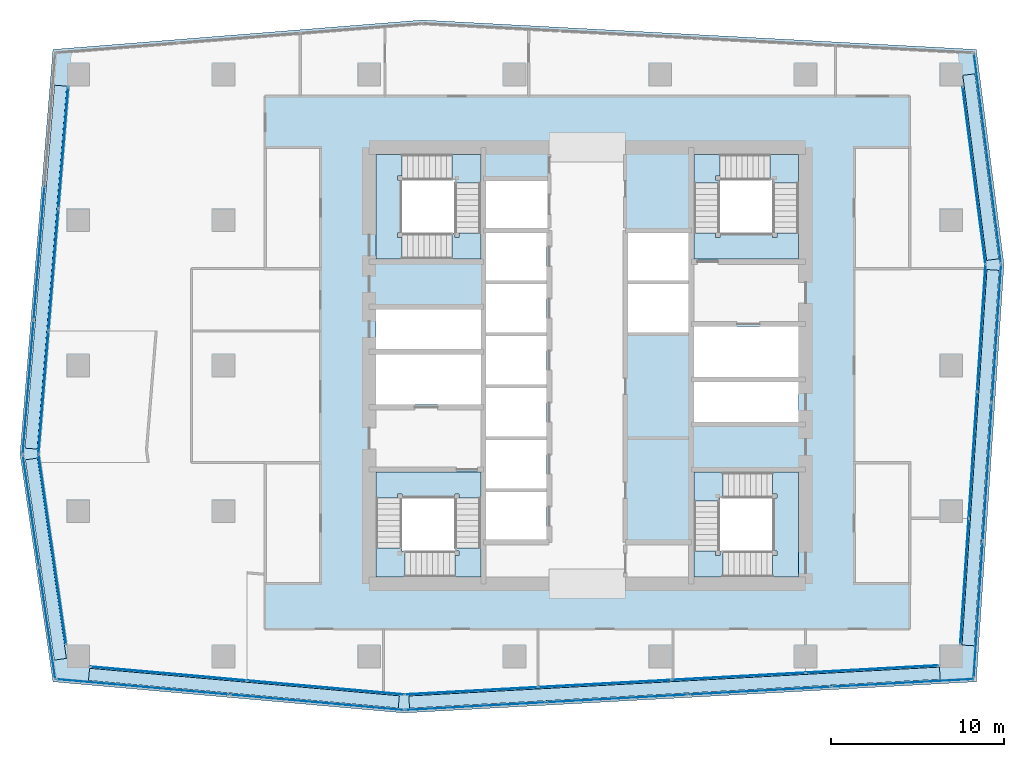
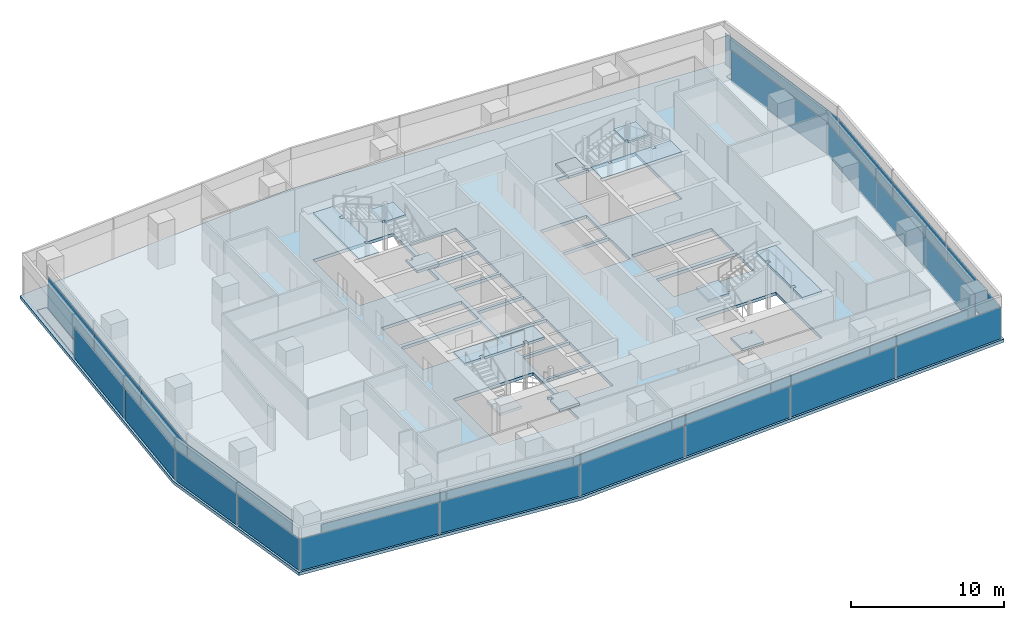
# One storey, part 21 of 30: 34 plates, 13 slabs, 16 elements without a shape of their own.
"""IFC4 building model written with IfcOpenShell, lengths in metres."""

from ifc_helpers import new_model, si_unit, direction, frame, origin, origin_2d, place, context, subcontext, project, spatial, polyline, rectangle, outline, extrude, material, layer, layer_set, type_object, element, aggregate, save


model = new_model("IFC4")

# Units and contexts
model_context = context("Model", 3, precision=1e-05, world=origin(), true_north=direction((0.0, 1.0)))
body_context = subcontext(model_context, "Body", "Model", "MODEL_VIEW")
ifc_project = project(units=[si_unit("LENGTHUNIT", "METRE"), si_unit("AREAUNIT", "SQUARE_METRE"), si_unit("VOLUMEUNIT", "CUBIC_METRE"), si_unit("PLANEANGLEUNIT", "RADIAN"), si_unit("MASSUNIT", "GRAM", prefix="KILO")], contexts=[model_context])

# Site, building, storey
site_placement = place(None, origin())
site = spatial("IfcSite", under=ifc_project, at=site_placement, CompositionType="ELEMENT")
building_placement = place(site_placement, origin())
building = spatial("IfcBuilding", under=site, at=building_placement, Name="Rekha Terrace Tower", CompositionType="ELEMENT")
storey_placement = place(building_placement, frame((0.0, 0.0, 287.60009765625)))
storey = spatial("IfcBuildingStorey", under=building, at=storey_placement, Name="L73", CompositionType="ELEMENT", Elevation=287.60009765625)

# Curtain wall, plates
ifc_material_1 = material(Name="Aluminium framing", Category="aluminium")
curtain_wall_type_1 = type_object("IfcCurtainWallType", Name="CW1 double skin inner glazing", PredefinedType="USERDEFINED", material=ifc_material_1)
curtain_wall_1_placement = place(storey_placement, origin())
curtain_wall_1 = element("IfcCurtainWall", 1, at=curtain_wall_1_placement, inside=storey, type_object=curtain_wall_type_1, Name="CW1 double skin inner glazing", ObjectType="DOUBLE SKIN INNER GLAZING", PredefinedType="USERDEFINED")
ifc_material_2 = material(Name="Double-glazed low-e unit 32", Category="glass")
ifc_layer_1 = layer(ifc_material_2, 0.031982421875)
ifc_layer_set_1 = layer_set([ifc_layer_1], Name="Double-glazed low-e unit 32")
plate_type_1 = type_object("IfcPlateType", Name="CW1 jumbo vision panel, double-glazed low-e unit 32", PredefinedType="CURTAIN_PANEL", material=ifc_layer_set_1)
plate_1_placement = place(storey_placement, frame((13.62939453125, 15.820556640625, 0.0), z_axis=(0.0, 0.0, 1.0), x_axis=(0.996074182663, -0.088522441405, 0.0)))
plate_1 = element("IfcPlate", 2, at=plate_1_placement, type_object=plate_type_1, Name="CW1 panel 1.1", PredefinedType="CURTAIN_PANEL", context=body_context, shape_type="SweptSolid", body=[
    extrude(rectangle(XDim=9.010986328125, YDim=0.031982421875, at=origin_2d()), origin(), (0.0, 0.0, 1.0), 2.550048828125),
])
plate_2_placement = place(storey_placement, frame((22.701904296875, 15.01416015625, 0.0), z_axis=(0.0, 0.0, 1.0), x_axis=(0.996074182663, -0.088522441405, 0.0)))
plate_2 = element("IfcPlate", 3, at=plate_2_placement, type_object=plate_type_1, Name="CW1 panel 2.1", PredefinedType="CURTAIN_PANEL", context=body_context, shape_type="SweptSolid", body=[
    extrude(rectangle(XDim=9.075927734375, YDim=0.031982421875, at=origin_2d()), origin(), (0.0, 0.0, 1.0), 2.550048828125),
])
aggregate(curtain_wall_1, [plate_1, plate_2])

curtain_wall_2_placement = place(storey_placement, origin())
curtain_wall_2 = element("IfcCurtainWall", 4, at=curtain_wall_2_placement, inside=storey, type_object=curtain_wall_type_1, Name="CW1 double skin inner glazing", ObjectType="DOUBLE SKIN INNER GLAZING", PredefinedType="USERDEFINED")
plate_3_placement = place(storey_placement, frame((31.101318359375, 14.82373046875, 0.0), z_axis=(0.0, 0.0, 1.0), x_axis=(0.998519828159, 0.054388903036, 0.0)))
plate_3 = element("IfcPlate", 5, at=plate_3_placement, type_object=plate_type_1, Name="CW1 panel 1.1", PredefinedType="CURTAIN_PANEL", context=body_context, shape_type="SweptSolid", body=[
    extrude(rectangle(XDim=7.6396484375, YDim=0.031982421875, at=origin_2d()), origin(), (0.0, 0.0, 1.0), 2.550048828125),
])
plate_4_placement = place(storey_placement, frame((38.810791015625, 15.243896484375, 0.0), z_axis=(0.0, 0.0, 1.0), x_axis=(0.998519828159, 0.054388903036, 0.0)))
plate_4 = element("IfcPlate", 6, at=plate_4_placement, type_object=plate_type_1, Name="CW1 panel 2.1", PredefinedType="CURTAIN_PANEL", context=body_context, shape_type="SweptSolid", body=[
    extrude(rectangle(XDim=7.672119140625, YDim=0.031982421875, at=origin_2d()), origin(), (0.0, 0.0, 1.0), 2.550048828125),
])
plate_5_placement = place(storey_placement, frame((46.536376953125, 15.66455078125, 0.0), z_axis=(0.0, 0.0, 1.0), x_axis=(0.998519828159, 0.054388903036, 0.0)))
plate_5 = element("IfcPlate", 7, at=plate_5_placement, type_object=plate_type_1, Name="CW1 panel 3.1", PredefinedType="CURTAIN_PANEL", context=body_context, shape_type="SweptSolid", body=[
    extrude(rectangle(XDim=7.672119140625, YDim=0.031982421875, at=origin_2d()), origin(), (0.0, 0.0, 1.0), 2.550048828125),
])
plate_6_placement = place(storey_placement, frame((54.245849609375, 16.08447265625, 0.0), z_axis=(0.0, 0.0, 1.0), x_axis=(0.998519828159, 0.054388903036, 0.0)))
plate_6 = element("IfcPlate", 8, at=plate_6_placement, type_object=plate_type_1, Name="CW1 panel 4.1", PredefinedType="CURTAIN_PANEL", context=body_context, shape_type="SweptSolid", body=[
    extrude(rectangle(XDim=7.6396484375, YDim=0.031982421875, at=origin_2d()), origin(), (0.0, 0.0, 1.0), 2.550048828125),
])
aggregate(curtain_wall_2, [plate_3, plate_4, plate_5, plate_6])

curtain_wall_3_placement = place(storey_placement, origin())
curtain_wall_3 = element("IfcCurtainWall", 9, at=curtain_wall_3_placement, inside=storey, type_object=curtain_wall_type_1, Name="CW1 double skin inner glazing", ObjectType="DOUBLE SKIN INNER GLAZING", PredefinedType="USERDEFINED")
plate_7_placement = place(storey_placement, frame((59.57275390625, 21.147705078125, 0.0), z_axis=(0.0, 0.0, 1.0), x_axis=(0.066271589649, 0.997801621769, 0.0)))
plate_7 = element("IfcPlate", 10, at=plate_7_placement, type_object=plate_type_1, Name="CW1 panel 1.1", PredefinedType="CURTAIN_PANEL", context=body_context, shape_type="SweptSolid", body=[
    extrude(rectangle(XDim=7.228759765625, YDim=0.031982421875, at=origin_2d()), origin(), (0.0, 0.0, 1.0), 2.550048828125),
])
plate_8_placement = place(storey_placement, frame((60.05712890625, 28.441650390625, 0.0), z_axis=(0.0, 0.0, 1.0), x_axis=(0.066271589649, 0.997801621769, 0.0)))
plate_8 = element("IfcPlate", 11, at=plate_8_placement, type_object=plate_type_1, Name="CW1 panel 2.1", PredefinedType="CURTAIN_PANEL", context=body_context, shape_type="SweptSolid", body=[
    extrude(rectangle(XDim=7.261474609375, YDim=0.031982421875, at=origin_2d()), origin(), (0.0, 0.0, 1.0), 2.550048828125),
])
plate_9_placement = place(storey_placement, frame((60.543701171875, 35.76806640625, 0.0), z_axis=(0.0, 0.0, 1.0), x_axis=(0.066271589649, 0.997801621769, 0.0)))
plate_9 = element("IfcPlate", 12, at=plate_9_placement, type_object=plate_type_1, Name="CW1 panel 3.1", PredefinedType="CURTAIN_PANEL", context=body_context, shape_type="SweptSolid", body=[
    extrude(rectangle(XDim=7.2939453125, YDim=0.031982421875, at=origin_2d()), origin(), (0.0, 0.0, 1.0), 2.550048828125),
])
aggregate(curtain_wall_3, [plate_7, plate_8, plate_9])

# Curtain wall, plate
curtain_wall_4_placement = place(storey_placement, origin())
curtain_wall_4 = element("IfcCurtainWall", 13, at=curtain_wall_4_placement, inside=storey, type_object=curtain_wall_type_1, Name="CW1 double skin inner glazing", ObjectType="DOUBLE SKIN INNER GLAZING", PredefinedType="USERDEFINED")
plate_10_placement = place(storey_placement, frame((60.119873046875, 44.56884765625, 0.0), z_axis=(0.0, 0.0, 1.0), x_axis=(-0.127869904766, 0.991790949472, 0.0)))
plate_10 = element("IfcPlate", 14, at=plate_10_placement, type_object=plate_type_1, Name="CW1 panel 1.1", PredefinedType="CURTAIN_PANEL", context=body_context, shape_type="SweptSolid", body=[
    extrude(rectangle(XDim=10.27880859375, YDim=0.031982421875, at=origin_2d()), origin(), (0.0, 0.0, 1.0), 2.550048828125),
])
aggregate(curtain_wall_4, [plate_10])

# Curtain wall, plates
curtain_wall_5_placement = place(storey_placement, origin())
curtain_wall_5 = element("IfcCurtainWall", 15, at=curtain_wall_5_placement, inside=storey, type_object=curtain_wall_type_1, Name="CW1 double skin inner glazing", ObjectType="DOUBLE SKIN INNER GLAZING", PredefinedType="USERDEFINED")
plate_11_placement = place(storey_placement, frame((7.5517578125, 46.173095703125, 0.0), z_axis=(0.0, 0.0, 1.0), x_axis=(-0.081067906781, -0.996708580524, 0.0)))
plate_11 = element("IfcPlate", 16, at=plate_11_placement, type_object=plate_type_1, Name="CW1 panel 1.1", PredefinedType="CURTAIN_PANEL", context=body_context, shape_type="SweptSolid", body=[
    extrude(rectangle(XDim=6.9921875, YDim=0.031982421875, at=origin_2d()), origin(), (0.0, 0.0, 1.0), 2.550048828125),
])
plate_12_placement = place(storey_placement, frame((6.978271484375, 39.123046875, 0.0), z_axis=(0.0, 0.0, 1.0), x_axis=(-0.081067906781, -0.996708580524, 0.0)))
plate_12 = element("IfcPlate", 17, at=plate_12_placement, type_object=plate_type_1, Name="CW1 panel 2.1", PredefinedType="CURTAIN_PANEL", context=body_context, shape_type="SweptSolid", body=[
    extrude(rectangle(XDim=7.024658203125, YDim=0.031982421875, at=origin_2d()), origin(), (0.0, 0.0, 1.0), 2.550048828125),
])
plate_13_placement = place(storey_placement, frame((6.40234375, 32.040283203125, 0.0), z_axis=(0.0, 0.0, 1.0), x_axis=(-0.081067906781, -0.996708580524, 0.0)))
plate_13 = element("IfcPlate", 18, at=plate_13_placement, type_object=plate_type_1, Name="CW1 panel 3.1", PredefinedType="CURTAIN_PANEL", context=body_context, shape_type="SweptSolid", body=[
    extrude(rectangle(XDim=7.057373046875, YDim=0.031982421875, at=origin_2d()), origin(), (0.0, 0.0, 1.0), 2.550048828125),
])
aggregate(curtain_wall_5, [plate_11, plate_12, plate_13])

# Curtain wall, plate
curtain_wall_6_placement = place(storey_placement, origin())
curtain_wall_6 = element("IfcCurtainWall", 19, at=curtain_wall_6_placement, inside=storey, type_object=curtain_wall_type_1, Name="CW1 double skin inner glazing", ObjectType="DOUBLE SKIN INNER GLAZING", PredefinedType="USERDEFINED")
plate_14_placement = place(storey_placement, frame((6.915771484375, 22.994140625, 0.0), z_axis=(0.0, 0.0, 1.0), x_axis=(0.143108322643, -0.989707031394, 0.0)))
plate_14 = element("IfcPlate", 20, at=plate_14_placement, type_object=plate_type_1, Name="CW1 panel 1.1", PredefinedType="CURTAIN_PANEL", context=body_context, shape_type="SweptSolid", body=[
    extrude(rectangle(XDim=11.043212890625, YDim=0.031982421875, at=origin_2d()), origin(), (0.0, 0.0, 1.0), 2.550048828125),
])
aggregate(curtain_wall_6, [plate_14])

# Curtain wall, plates
curtain_wall_type_2 = type_object("IfcCurtainWallType", Name="CW2 double skin outer glazing", PredefinedType="USERDEFINED", material=ifc_material_1)
curtain_wall_7_placement = place(storey_placement, origin())
curtain_wall_7 = element("IfcCurtainWall", 21, at=curtain_wall_7_placement, inside=storey, type_object=curtain_wall_type_2, Name="CW2 double skin outer glazing", ObjectType="DOUBLE SKIN OUTER GLAZING", PredefinedType="USERDEFINED")
ifc_material_3 = material(Name="Toughened single glazing 12", Category="glass")
ifc_layer_2 = layer(ifc_material_3, 0.011962890625)
ifc_layer_set_2 = layer_set([ifc_layer_2], Name="Toughened single glazing 12")
plate_type_2 = type_object("IfcPlateType", Name="CW2 jumbo vision panel, toughened single glazing 12", PredefinedType="CURTAIN_PANEL", material=ifc_layer_set_2)
plate_15_placement = place(storey_placement, frame((12.139404296875, 15.049560546875, 0.0), z_axis=(0.0, 0.0, 1.0), x_axis=(0.996074182658, -0.088522441457, 0.0)))
plate_15 = element("IfcPlate", 22, at=plate_15_placement, type_object=plate_type_2, Name="CW2 panel 1.1", PredefinedType="CURTAIN_PANEL", context=body_context, shape_type="SweptSolid", body=[
    extrude(rectangle(XDim=9.977783203125, YDim=0.011962890625, at=origin_2d()), origin(), (0.0, 0.0, 1.0), 2.550048828125),
])
plate_16_placement = place(storey_placement, frame((22.197509765625, 14.155517578125, 0.0), z_axis=(0.0, 0.0, 1.0), x_axis=(0.996074182658, -0.088522441457, 0.0)))
plate_16 = element("IfcPlate", 23, at=plate_16_placement, type_object=plate_type_2, Name="CW2 panel 2.1", PredefinedType="CURTAIN_PANEL", context=body_context, shape_type="SweptSolid", body=[
    extrude(rectangle(XDim=10.057861328125, YDim=0.011962890625, at=origin_2d()), origin(), (0.0, 0.0, 1.0), 2.550048828125),
])
aggregate(curtain_wall_7, [plate_15, plate_16])

curtain_wall_8_placement = place(storey_placement, origin())
curtain_wall_8 = element("IfcCurtainWall", 24, at=curtain_wall_8_placement, inside=storey, type_object=curtain_wall_type_2, Name="CW2 double skin outer glazing", ObjectType="DOUBLE SKIN OUTER GLAZING", PredefinedType="USERDEFINED")
plate_17_placement = place(storey_placement, frame((31.33837890625, 13.935546875, 0.0), z_axis=(0.0, 0.0, 1.0), x_axis=(0.998519828157, 0.054388903071, 0.0)))
plate_17 = element("IfcPlate", 25, at=plate_17_placement, type_object=plate_type_2, Name="CW2 panel 1.1", PredefinedType="CURTAIN_PANEL", context=body_context, shape_type="SweptSolid", body=[
    extrude(rectangle(XDim=8.115478515625, YDim=0.011962890625, at=origin_2d()), origin(), (0.0, 0.0, 1.0), 2.550048828125),
])
plate_18_placement = place(storey_placement, frame((39.54150390625, 14.38232421875, 0.0), z_axis=(0.0, 0.0, 1.0), x_axis=(0.998519828157, 0.054388903071, 0.0)))
plate_18 = element("IfcPlate", 26, at=plate_18_placement, type_object=plate_type_2, Name="CW2 panel 2.1", PredefinedType="CURTAIN_PANEL", context=body_context, shape_type="SweptSolid", body=[
    extrude(rectangle(XDim=8.155517578125, YDim=0.011962890625, at=origin_2d()), origin(), (0.0, 0.0, 1.0), 2.550048828125),
])
plate_19_placement = place(storey_placement, frame((47.764892578125, 14.830078125, 0.0), z_axis=(0.0, 0.0, 1.0), x_axis=(0.998519828157, 0.054388903071, 0.0)))
plate_19 = element("IfcPlate", 27, at=plate_19_placement, type_object=plate_type_2, Name="CW2 panel 3.1", PredefinedType="CURTAIN_PANEL", context=body_context, shape_type="SweptSolid", body=[
    extrude(rectangle(XDim=8.155517578125, YDim=0.011962890625, at=origin_2d()), origin(), (0.0, 0.0, 1.0), 2.550048828125),
])
plate_20_placement = place(storey_placement, frame((56.008056640625, 15.279296875, 0.0), z_axis=(0.0, 0.0, 1.0), x_axis=(0.998519828157, 0.054388903071, 0.0)))
plate_20 = element("IfcPlate", 28, at=plate_20_placement, type_object=plate_type_2, Name="CW2 panel 4.1", PredefinedType="CURTAIN_PANEL", context=body_context, shape_type="SweptSolid", body=[
    extrude(rectangle(XDim=8.195556640625, YDim=0.011962890625, at=origin_2d()), origin(), (0.0, 0.0, 1.0), 2.550048828125),
])
aggregate(curtain_wall_8, [plate_17, plate_18, plate_19, plate_20])

curtain_wall_9_placement = place(storey_placement, origin())
curtain_wall_9 = element("IfcCurtainWall", 29, at=curtain_wall_9_placement, inside=storey, type_object=curtain_wall_type_2, Name="CW2 double skin outer glazing", ObjectType="DOUBLE SKIN OUTER GLAZING", PredefinedType="USERDEFINED")
plate_21_placement = place(storey_placement, frame((60.365966796875, 19.5107421875, 0.0), z_axis=(0.0, 0.0, 1.0), x_axis=(0.066271589649, 0.997801621769, 0.0)))
plate_21 = element("IfcPlate", 30, at=plate_21_placement, type_object=plate_type_2, Name="CW2 panel 1.1", PredefinedType="CURTAIN_PANEL", context=body_context, shape_type="SweptSolid", body=[
    extrude(rectangle(XDim=7.875244140625, YDim=0.011962890625, at=origin_2d()), origin(), (0.0, 0.0, 1.0), 2.550048828125),
])
plate_22_placement = place(storey_placement, frame((60.89453125, 27.468505859375, 0.0), z_axis=(0.0, 0.0, 1.0), x_axis=(0.066271589649, 0.997801621769, 0.0)))
plate_22 = element("IfcPlate", 31, at=plate_22_placement, type_object=plate_type_2, Name="CW2 panel 2.1", PredefinedType="CURTAIN_PANEL", context=body_context, shape_type="SweptSolid", body=[
    extrude(rectangle(XDim=7.915283203125, YDim=0.011962890625, at=origin_2d()), origin(), (0.0, 0.0, 1.0), 2.550048828125),
])
plate_23_placement = place(storey_placement, frame((61.42578125, 35.466064453125, 0.0), z_axis=(0.0, 0.0, 1.0), x_axis=(0.066271589649, 0.997801621769, 0.0)))
plate_23 = element("IfcPlate", 32, at=plate_23_placement, type_object=plate_type_2, Name="CW2 panel 3.1", PredefinedType="CURTAIN_PANEL", context=body_context, shape_type="SweptSolid", body=[
    extrude(rectangle(XDim=7.955322265625, YDim=0.011962890625, at=origin_2d()), origin(), (0.0, 0.0, 1.0), 2.550048828125),
])
aggregate(curtain_wall_9, [plate_21, plate_22, plate_23])

# Curtain wall, plate
curtain_wall_10_placement = place(storey_placement, origin())
curtain_wall_10 = element("IfcCurtainWall", 33, at=curtain_wall_10_placement, inside=storey, type_object=curtain_wall_type_2, Name="CW2 double skin outer glazing", ObjectType="DOUBLE SKIN OUTER GLAZING", PredefinedType="USERDEFINED")
plate_24_placement = place(storey_placement, frame((60.89892578125, 45.566162109375, 0.0), z_axis=(0.0, 0.0, 1.0), x_axis=(-0.12786990487, 0.991790949459, 0.0)))
plate_24 = element("IfcPlate", 34, at=plate_24_placement, type_object=plate_type_2, Name="CW2 panel 1.1", PredefinedType="CURTAIN_PANEL", context=body_context, shape_type="SweptSolid", body=[
    extrude(rectangle(XDim=12.203857421875, YDim=0.011962890625, at=origin_2d()), origin(), (0.0, 0.0, 1.0), 2.550048828125),
])
aggregate(curtain_wall_10, [plate_24])

# Curtain wall, plates
curtain_wall_11_placement = place(storey_placement, origin())
curtain_wall_11 = element("IfcCurtainWall", 35, at=curtain_wall_11_placement, inside=storey, type_object=curtain_wall_type_2, Name="CW2 double skin outer glazing", ObjectType="DOUBLE SKIN OUTER GLAZING", PredefinedType="USERDEFINED")
plate_25_placement = place(storey_placement, frame((6.15478515625, 40.09814453125, 0.0), z_axis=(0.0, 0.0, 1.0), x_axis=(-0.081067906816, -0.996708580521, 0.0)))
plate_25 = element("IfcPlate", 36, at=plate_25_placement, type_object=plate_type_2, Name="CW2 panel 2.1", PredefinedType="CURTAIN_PANEL", context=body_context, shape_type="SweptSolid", body=[
    extrude(rectangle(XDim=7.680908203125, YDim=0.011962890625, at=origin_2d()), origin(), (0.0, 0.0, 1.0), 2.550048828125),
])
plate_26_placement = place(storey_placement, frame((5.52392578125, 32.3427734375, 0.0), z_axis=(0.0, 0.0, 1.0), x_axis=(-0.081067906816, -0.996708580521, 0.0)))
plate_26 = element("IfcPlate", 37, at=plate_26_placement, type_object=plate_type_2, Name="CW2 panel 3.1", PredefinedType="CURTAIN_PANEL", context=body_context, shape_type="SweptSolid", body=[
    extrude(rectangle(XDim=7.720947265625, YDim=0.011962890625, at=origin_2d()), origin(), (0.0, 0.0, 1.0), 2.550048828125),
])
aggregate(curtain_wall_11, [plate_25, plate_26])

curtain_wall_12_placement = place(storey_placement, origin())
curtain_wall_12 = element("IfcCurtainWall", 38, at=curtain_wall_12_placement, inside=storey, type_object=curtain_wall_type_2, Name="CW2 double skin outer glazing", ObjectType="DOUBLE SKIN OUTER GLAZING", PredefinedType="USERDEFINED")
plate_27_placement = place(storey_placement, frame((5.68359375, 25.22607421875, 0.0), z_axis=(0.0, 0.0, 1.0), x_axis=(0.143108322678, -0.989707031389, 0.0)))
plate_27 = element("IfcPlate", 39, at=plate_27_placement, type_object=plate_type_2, Name="CW2 panel 1.1", PredefinedType="CURTAIN_PANEL", context=body_context, shape_type="SweptSolid", body=[
    extrude(rectangle(XDim=6.446044921875, YDim=0.011962890625, at=origin_2d()), origin(), (0.0, 0.0, 1.0), 2.550048828125),
])
plate_28_placement = place(storey_placement, frame((6.623291015625, 18.7275390625, 0.0), z_axis=(0.0, 0.0, 1.0), x_axis=(0.143108322678, -0.989707031389, 0.0)))
plate_28 = element("IfcPlate", 40, at=plate_28_placement, type_object=plate_type_2, Name="CW2 panel 2.1", PredefinedType="CURTAIN_PANEL", context=body_context, shape_type="SweptSolid", body=[
    extrude(rectangle(XDim=6.526123046875, YDim=0.011962890625, at=origin_2d()), origin(), (0.0, 0.0, 1.0), 2.550048828125),
])
aggregate(curtain_wall_12, [plate_27, plate_28])

# Plates
ifc_material_4 = material(Name="Galvanised steel open grating", Category="steel")
ifc_layer_3 = layer(ifc_material_4, 0.050048828125)
ifc_layer_set_3 = layer_set([ifc_layer_3], Name="Galvanised steel open grating")
plate_type_3 = type_object("IfcPlateType", Name="GT1 cavity walkway grating 50", PredefinedType="USERDEFINED", material=ifc_layer_set_3)
plate_29_placement = place(storey_placement, frame((17.974853515625, 14.982666015625, 0.0), z_axis=(0.0, 0.0, 1.0), x_axis=(0.99607418266, -0.08852244144, 0.0)))
element("IfcPlate", 41, at=plate_29_placement, inside=storey, type_object=plate_type_3, Name="Cavity walkway grating", ObjectType="CAVITY WALKWAY GRATING", PredefinedType="USERDEFINED", context=body_context, shape_type="SweptSolid", body=[
    extrude(rectangle(XDim=17.9521484375, YDim=0.705078125, at=origin_2d()), origin(), (0.0, 0.0, 1.0), 0.050048828125),
])
plate_30_placement = place(storey_placement, frame((42.830322265625, 15.011962890625, 0.0), z_axis=(0.0, 0.0, 1.0), x_axis=(0.998519828157, 0.054388903071, 0.0)))
element("IfcPlate", 42, at=plate_30_placement, inside=storey, type_object=plate_type_3, Name="Cavity walkway grating", ObjectType="CAVITY WALKWAY GRATING", PredefinedType="USERDEFINED", context=body_context, shape_type="SweptSolid", body=[
    extrude(rectangle(XDim=30.677978515625, YDim=0.705078125, at=origin_2d()), origin(), (0.0, 0.0, 1.0), 0.050048828125),
])
plate_31_placement = place(storey_placement, frame((60.497802734375, 28.284912109375, 0.0), z_axis=(0.0, 0.0, 1.0), x_axis=(0.066271589649, 0.997801621769, 0.0)))
element("IfcPlate", 43, at=plate_31_placement, inside=storey, type_object=plate_type_3, Name="Cavity walkway grating", ObjectType="CAVITY WALKWAY GRATING", PredefinedType="USERDEFINED", context=body_context, shape_type="SweptSolid", body=[
    extrude(rectangle(XDim=21.72119140625, YDim=0.705078125, at=origin_2d()), origin(), (0.0, 0.0, 1.0), 0.050048828125),
])
plate_32_placement = place(storey_placement, frame((60.510498046875, 45.058837890625, 0.0), z_axis=(0.0, 0.0, 1.0), x_axis=(-0.127869904852, 0.991790949461, 0.0)))
element("IfcPlate", 44, at=plate_32_placement, inside=storey, type_object=plate_type_3, Name="Cavity walkway grating", ObjectType="CAVITY WALKWAY GRATING", PredefinedType="USERDEFINED", context=body_context, shape_type="SweptSolid", body=[
    extrude(rectangle(XDim=10.76904296875, YDim=0.705078125, at=origin_2d()), origin(), (0.0, 0.0, 1.0), 0.050048828125),
])
plate_33_placement = place(storey_placement, frame((6.5400390625, 39.28369140625, 0.0), z_axis=(0.0, 0.0, 1.0), x_axis=(-0.081067906798, -0.996708580523, 0.0)))
element("IfcPlate", 45, at=plate_33_placement, inside=storey, type_object=plate_type_3, Name="Cavity walkway grating", ObjectType="CAVITY WALKWAY GRATING", PredefinedType="USERDEFINED", context=body_context, shape_type="SweptSolid", body=[
    extrude(rectangle(XDim=21.02001953125, YDim=0.705078125, at=origin_2d()), origin(), (0.0, 0.0, 1.0), 0.050048828125),
])
plate_34_placement = place(storey_placement, frame((6.54248046875, 22.4306640625, 0.0), z_axis=(0.0, 0.0, 1.0), x_axis=(0.143108322643, -0.989707031394, 0.0)))
element("IfcPlate", 46, at=plate_34_placement, inside=storey, type_object=plate_type_3, Name="Cavity walkway grating", ObjectType="CAVITY WALKWAY GRATING", PredefinedType="USERDEFINED", context=body_context, shape_type="SweptSolid", body=[
    extrude(rectangle(XDim=11.68310546875, YDim=0.705078125, at=origin_2d()), origin(), (0.0, 0.0, 1.0), 0.050048828125),
])

# Stair, slabs
ifc_material_5 = material(Name="Concrete M40", Category="concrete")
stair_type = type_object("IfcStairType", Name="ST30 stair, 30 risers of 125, going 320, 1500 wide flights, 3 flights", PredefinedType="HALF_TURN_STAIR", material=ifc_material_5)
stair_1_placement = place(storey_placement, origin())
stair_1 = element("IfcStair", 47, at=stair_1_placement, inside=storey, type_object=stair_type, Name="Stair ST1 L73 to L74", PredefinedType="HALF_TURN_STAIR")
ifc_layer_4 = layer(ifc_material_5, 0.199951171875)
ifc_layer_set_4 = layer_set([ifc_layer_4], Name="Concrete M40")
slab_type_1 = type_object("IfcSlabType", Name="LD1 200 concrete stair landing", PredefinedType="LANDING", material=ifc_layer_set_4)
slab_1_placement = place(storey_placement, frame((0.0, 0.0, 1.0498046875)))
slab_1 = element("IfcSlab", 48, at=slab_1_placement, type_object=slab_type_1, Name="ST1 landing 1", PredefinedType="LANDING", context=body_context, shape_type="SweptSolid", body=[
    extrude(outline(polyline([(30.14990234375, 21.39990234375), (31.64990234375, 21.39990234375), (31.64990234375, 23.070068359375), (30.14990234375, 23.070068359375), (30.14990234375, 22.89990234375), (30.39990234375, 22.89990234375), (30.39990234375, 22.64990234375), (30.14990234375, 22.64990234375), (30.14990234375, 21.39990234375)])), origin(), (0.0, 0.0, 1.0), 0.2001953125),
])
slab_2_placement = place(storey_placement, frame((0.0, 0.0, 2.2998046875)))
slab_2 = element("IfcSlab", 49, at=slab_2_placement, type_object=slab_type_1, Name="ST1 landing 2", PredefinedType="LANDING", context=body_context, shape_type="SweptSolid", body=[
    extrude(outline(polyline([(27.10009765625, 23.070068359375), (25.60009765625, 23.070068359375), (25.60009765625, 21.39990234375), (27.27001953125, 21.39990234375), (27.27001953125, 22.89990234375), (27.10009765625, 22.89990234375), (27.10009765625, 23.070068359375)])), origin(), (0.0, 0.0, 1.0), 0.2001953125),
])
slab_3_placement = place(storey_placement, frame((0.0, 0.0, 3.5498046875)))
slab_3 = element("IfcSlab", 50, at=slab_3_placement, type_object=slab_type_1, Name="ST1 landing 3", PredefinedType="LANDING", context=body_context, shape_type="SweptSolid", body=[
    extrude(outline(polyline([(31.64990234375, 25.949951171875), (31.64990234375, 27.449951171875), (25.60009765625, 27.449951171875), (25.60009765625, 25.949951171875), (26.85009765625, 25.949951171875), (26.85009765625, 26.199951171875), (27.10009765625, 26.199951171875), (27.10009765625, 25.949951171875), (30.14990234375, 25.949951171875), (30.14990234375, 26.199951171875), (30.39990234375, 26.199951171875), (30.39990234375, 25.949951171875), (31.64990234375, 25.949951171875)])), origin(), (0.0, 0.0, 1.0), 0.2001953125),
])
aggregate(stair_1, [slab_1, slab_2, slab_3])

stair_2_placement = place(storey_placement, origin())
stair_2 = element("IfcStair", 51, at=stair_2_placement, inside=storey, type_object=stair_type, Name="Stair ST2 L73 to L74", PredefinedType="HALF_TURN_STAIR")
slab_4_placement = place(storey_placement, frame((0.0, 0.0, 1.0498046875)))
slab_4 = element("IfcSlab", 52, at=slab_4_placement, type_object=slab_type_1, Name="ST2 landing 1", PredefinedType="LANDING", context=body_context, shape_type="SweptSolid", body=[
    extrude(outline(polyline([(45.449951171875, 45.800048828125), (43.949951171875, 45.800048828125), (43.949951171875, 44.1298828125), (45.449951171875, 44.1298828125), (45.449951171875, 44.300048828125), (45.199951171875, 44.300048828125), (45.199951171875, 44.550048828125), (45.449951171875, 44.550048828125), (45.449951171875, 45.800048828125)])), origin(), (0.0, 0.0, 1.0), 0.2001953125),
])
slab_5_placement = place(storey_placement, frame((0.0, 0.0, 2.2998046875)))
slab_5 = element("IfcSlab", 53, at=slab_5_placement, type_object=slab_type_1, Name="ST2 landing 2", PredefinedType="LANDING", context=body_context, shape_type="SweptSolid", body=[
    extrude(outline(polyline([(48.5, 44.1298828125), (50.0, 44.1298828125), (50.0, 45.800048828125), (48.330078125, 45.800048828125), (48.330078125, 44.300048828125), (48.5, 44.300048828125), (48.5, 44.1298828125)])), origin(), (0.0, 0.0, 1.0), 0.2001953125),
])
slab_6_placement = place(storey_placement, frame((0.0, 0.0, 3.5498046875)))
slab_6 = element("IfcSlab", 54, at=slab_6_placement, type_object=slab_type_1, Name="ST2 landing 3", PredefinedType="LANDING", context=body_context, shape_type="SweptSolid", body=[
    extrude(outline(polyline([(43.949951171875, 41.25), (43.949951171875, 39.75), (50.0, 39.75), (50.0, 41.25), (48.75, 41.25), (48.75, 41.0), (48.5, 41.0), (48.5, 41.25), (45.449951171875, 41.25), (45.449951171875, 41.0), (45.199951171875, 41.0), (45.199951171875, 41.25), (43.949951171875, 41.25)])), origin(), (0.0, 0.0, 1.0), 0.2001953125),
])
aggregate(stair_2, [slab_4, slab_5, slab_6])

stair_3_placement = place(storey_placement, origin())
stair_3 = element("IfcStair", 55, at=stair_3_placement, inside=storey, type_object=stair_type, Name="Stair ST3 L73 to L74", PredefinedType="HALF_TURN_STAIR")
slab_7_placement = place(storey_placement, frame((0.0, 0.0, 1.0498046875)))
slab_7 = element("IfcSlab", 56, at=slab_7_placement, type_object=slab_type_1, Name="ST3 landing 1", PredefinedType="LANDING", context=body_context, shape_type="SweptSolid", body=[
    extrude(outline(polyline([(43.949951171875, 22.89990234375), (43.949951171875, 21.39990234375), (45.6201171875, 21.39990234375), (45.6201171875, 22.89990234375), (45.449951171875, 22.89990234375), (45.449951171875, 22.64990234375), (45.199951171875, 22.64990234375), (45.199951171875, 22.89990234375), (43.949951171875, 22.89990234375)])), origin(), (0.0, 0.0, 1.0), 0.2001953125),
])
slab_8_placement = place(storey_placement, frame((0.0, 0.0, 2.2998046875)))
slab_8 = element("IfcSlab", 57, at=slab_8_placement, type_object=slab_type_1, Name="ST3 landing 2", PredefinedType="LANDING", context=body_context, shape_type="SweptSolid", body=[
    extrude(outline(polyline([(45.6201171875, 25.949951171875), (45.6201171875, 27.449951171875), (43.949951171875, 27.449951171875), (43.949951171875, 25.780029296875), (45.449951171875, 25.780029296875), (45.449951171875, 25.949951171875), (45.6201171875, 25.949951171875)])), origin(), (0.0, 0.0, 1.0), 0.2001953125),
])
slab_9_placement = place(storey_placement, frame((0.0, 0.0, 3.5498046875)))
slab_9 = element("IfcSlab", 58, at=slab_9_placement, type_object=slab_type_1, Name="ST3 landing 3", PredefinedType="LANDING", context=body_context, shape_type="SweptSolid", body=[
    extrude(outline(polyline([(48.5, 21.39990234375), (50.0, 21.39990234375), (50.0, 27.449951171875), (48.5, 27.449951171875), (48.5, 26.199951171875), (48.75, 26.199951171875), (48.75, 25.949951171875), (48.5, 25.949951171875), (48.5, 22.89990234375), (48.75, 22.89990234375), (48.75, 22.64990234375), (48.5, 22.64990234375), (48.5, 21.39990234375)])), origin(), (0.0, 0.0, 1.0), 0.2001953125),
])
aggregate(stair_3, [slab_7, slab_8, slab_9])

stair_4_placement = place(storey_placement, origin())
stair_4 = element("IfcStair", 59, at=stair_4_placement, inside=storey, type_object=stair_type, Name="Stair ST4 L73 to L74", PredefinedType="HALF_TURN_STAIR")
slab_10_placement = place(storey_placement, frame((0.0, 0.0, 1.0498046875)))
slab_10 = element("IfcSlab", 60, at=slab_10_placement, type_object=slab_type_1, Name="ST4 landing 1", PredefinedType="LANDING", context=body_context, shape_type="SweptSolid", body=[
    extrude(outline(polyline([(31.64990234375, 41.25), (31.64990234375, 39.75), (29.97998046875, 39.75), (29.97998046875, 41.25), (30.14990234375, 41.25), (30.14990234375, 41.0), (30.39990234375, 41.0), (30.39990234375, 41.25), (31.64990234375, 41.25)])), origin(), (0.0, 0.0, 1.0), 0.2001953125),
])
slab_11_placement = place(storey_placement, frame((0.0, 0.0, 2.2998046875)))
slab_11 = element("IfcSlab", 61, at=slab_11_placement, type_object=slab_type_1, Name="ST4 landing 2", PredefinedType="LANDING", context=body_context, shape_type="SweptSolid", body=[
    extrude(outline(polyline([(29.97998046875, 44.300048828125), (29.97998046875, 45.800048828125), (31.64990234375, 45.800048828125), (31.64990234375, 44.1298828125), (30.14990234375, 44.1298828125), (30.14990234375, 44.300048828125), (29.97998046875, 44.300048828125)])), origin(), (0.0, 0.0, 1.0), 0.2001953125),
])
slab_12_placement = place(storey_placement, frame((0.0, 0.0, 3.5498046875)))
slab_12 = element("IfcSlab", 62, at=slab_12_placement, type_object=slab_type_1, Name="ST4 landing 3", PredefinedType="LANDING", context=body_context, shape_type="SweptSolid", body=[
    extrude(outline(polyline([(27.10009765625, 39.75), (25.60009765625, 39.75), (25.60009765625, 45.800048828125), (27.10009765625, 45.800048828125), (27.10009765625, 44.550048828125), (26.85009765625, 44.550048828125), (26.85009765625, 44.300048828125), (27.10009765625, 44.300048828125), (27.10009765625, 41.25), (26.85009765625, 41.25), (26.85009765625, 41.0), (27.10009765625, 41.0), (27.10009765625, 39.75)])), origin(), (0.0, 0.0, 1.0), 0.2001953125),
])
aggregate(stair_4, [slab_10, slab_11, slab_12])

# Slab
ifc_material_6 = material(Name="Concrete M50", Category="concrete")
ifc_layer_5 = layer(ifc_material_6, 0.25)
ifc_layer_set_5 = layer_set([ifc_layer_5], Name="Concrete M50")
slab_type_2 = type_object("IfcSlabType", Name="SL4 250 post-tensioned flat plate", PredefinedType="FLOOR", material=ifc_layer_set_5)
slab_13_placement = place(storey_placement, frame((0.0, 0.0, -0.25)))
element("IfcSlab", 63, at=slab_13_placement, inside=storey, type_object=slab_type_2, Name="Post-tensioned flat plate L73", PredefinedType="FLOOR", context=body_context, shape_type="SweptSolid", body=[
    extrude(outline(polyline([(5.050048828125, 28.489990234375), (6.949951171875, 15.35009765625), (27.2041015625, 13.550048828125), (60.25, 15.35009765625), (61.85009765625, 39.43994140625), (60.25, 51.85009765625), (28.27001953125, 53.550048828125), (6.949951171875, 51.85009765625), (5.050048828125, 28.489990234375)]), holes=[polyline([(31.64990234375, 27.449951171875), (31.64990234375, 21.39990234375), (25.60009765625, 21.39990234375), (25.60009765625, 27.449951171875), (31.64990234375, 27.449951171875)]), polyline([(35.449951171875, 26.300048828125), (35.449951171875, 23.550048828125), (31.949951171875, 23.550048828125), (31.949951171875, 26.300048828125), (35.449951171875, 26.300048828125)]), polyline([(35.449951171875, 29.300048828125), (35.449951171875, 26.5), (31.949951171875, 26.5), (31.949951171875, 29.300048828125), (35.449951171875, 29.300048828125)]), polyline([(35.449951171875, 32.300048828125), (35.449951171875, 29.5), (31.949951171875, 29.5), (31.949951171875, 32.300048828125), (35.449951171875, 32.300048828125)]), polyline([(31.64990234375, 34.25), (31.64990234375, 31.35009765625), (25.60009765625, 31.35009765625), (25.60009765625, 34.25), (31.64990234375, 34.25)]), polyline([(35.449951171875, 35.300048828125), (35.449951171875, 32.5), (31.949951171875, 32.5), (31.949951171875, 35.300048828125), (35.449951171875, 35.300048828125)]), polyline([(31.64990234375, 36.85009765625), (31.64990234375, 34.550048828125), (25.60009765625, 34.550048828125), (25.60009765625, 36.85009765625), (31.64990234375, 36.85009765625)]), polyline([(35.449951171875, 38.300048828125), (35.449951171875, 35.5), (31.949951171875, 35.5), (31.949951171875, 38.300048828125), (35.449951171875, 38.300048828125)]), polyline([(31.64990234375, 45.800048828125), (31.64990234375, 39.75), (25.60009765625, 39.75), (25.60009765625, 45.800048828125), (31.64990234375, 45.800048828125)]), polyline([(50.0, 27.449951171875), (50.0, 21.39990234375), (43.949951171875, 21.39990234375), (43.949951171875, 27.449951171875), (50.0, 27.449951171875)]), polyline([(50.0, 32.64990234375), (50.0, 30.35009765625), (43.949951171875, 30.35009765625), (43.949951171875, 32.64990234375), (50.0, 32.64990234375)]), polyline([(50.0, 35.85009765625), (50.0, 32.949951171875), (43.949951171875, 32.949951171875), (43.949951171875, 35.85009765625), (50.0, 35.85009765625)]), polyline([(43.64990234375, 38.300048828125), (43.64990234375, 35.5), (40.14990234375, 35.5), (40.14990234375, 38.300048828125), (43.64990234375, 38.300048828125)]), polyline([(35.449951171875, 41.25), (35.449951171875, 38.5), (31.949951171875, 38.5), (31.949951171875, 41.25), (35.449951171875, 41.25)]), polyline([(43.64990234375, 41.25), (43.64990234375, 38.5), (40.14990234375, 38.5), (40.14990234375, 41.25), (43.64990234375, 41.25)]), polyline([(50.0, 39.75), (43.949951171875, 39.75), (43.949951171875, 45.800048828125), (50.0, 45.800048828125), (50.0, 39.75)]), polyline([(35.5, 41.550048828125), (31.949951171875, 41.550048828125), (31.949951171875, 44.25), (35.5, 44.25), (35.5, 41.550048828125)])]), origin(), (0.0, 0.0, 1.0), 0.25),
])

save(model, "model.ifc")
